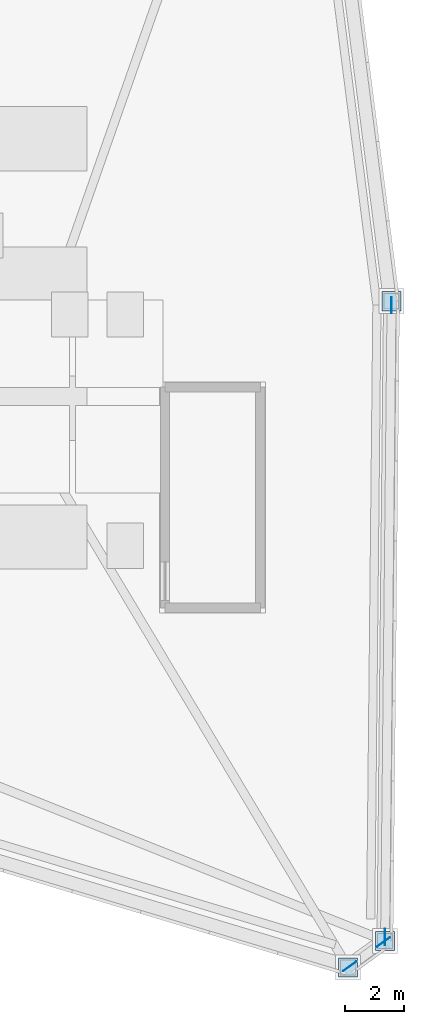
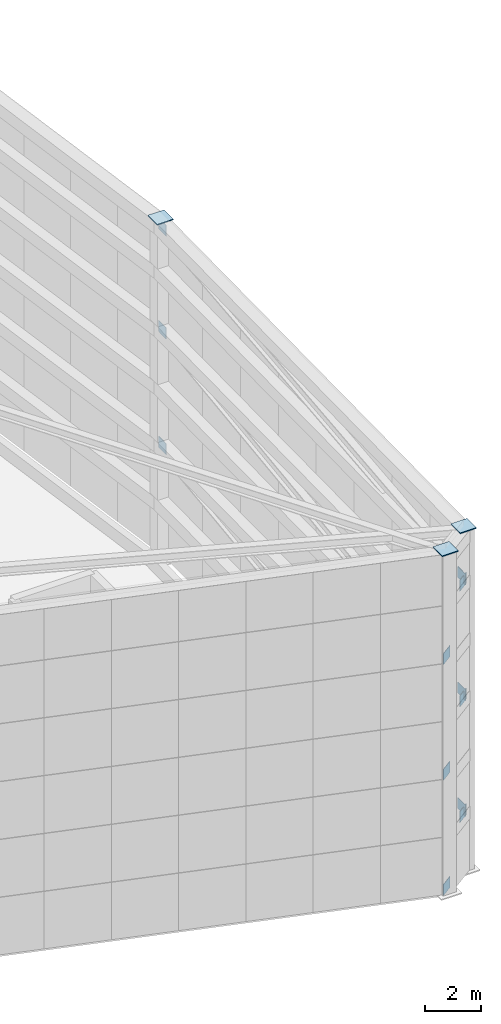
# One storey, part 6 of 9: 15 plates.
"""IFC4 building model written with IfcOpenShell, lengths in metres."""

from ifc_helpers import new_model, si_unit, direction, frame, origin, origin_2d, place, context, subcontext, project, spatial, rectangle, extrude, source, transform, mapped, material, type_object, element, save


model = new_model("IFC4")

# Units and contexts
model_context = context("Model", 3, precision=1e-05, world=origin(), true_north=direction((0.0, 1.0)))
body_context = subcontext(model_context, "Body", "Model", "MODEL_VIEW")
ifc_project = project(units=[si_unit("LENGTHUNIT", "METRE"), si_unit("AREAUNIT", "SQUARE_METRE"), si_unit("VOLUMEUNIT", "CUBIC_METRE"), si_unit("PLANEANGLEUNIT", "RADIAN"), si_unit("MASSUNIT", "GRAM", prefix="KILO")], contexts=[model_context])

# Site, building, storey
site_placement = place(None, origin())
site = spatial("IfcSite", under=ifc_project, at=site_placement, CompositionType="ELEMENT")
building_placement = place(site_placement, origin())
building = spatial("IfcBuilding", under=site, at=building_placement, Name="Olszyna Solenne Hotel", CompositionType="ELEMENT")
storey_placement = place(building_placement, frame((0.0, 0.0, 295.0)))
storey = spatial("IfcBuildingStorey", under=building, at=storey_placement, Name="Roof Crown", CompositionType="ELEMENT", Elevation=295.0)

# Plates
ifc_material_1 = material(Name="Steel S460M", Category="steel")
plate_type_1 = type_object("IfcPlateType", Name="GP-CAP1", PredefinedType="USERDEFINED", material=ifc_material_1)
shared_shape_1 = source(origin(), body_context, "Body", "SweptSolid", [
    extrude(rectangle(XDim=0.659912109375, YDim=0.659912109375, at=origin_2d()), origin(), (0.0, 0.0, 1.0), 0.0400390625),
])
for number, where, z_axis, x_axis, name in (
    (1, (49.016845703125, 7.0869140625, 14.719970703125), (0.0, 0.0, 1.0), (1.0, 0.0, 0.0), "Hollow section end-cap plate GP-CAP1 CP-CFTOP-7-2"),
    (2, (50.27880859375, 7.9970703125, 14.719970703125), (0.0, 0.0, 1.0), (1.0, 0.0, 0.0), "Hollow section end-cap plate GP-CAP1 CP-CFTOP-8-2"),
    (3, (50.502197265625, 29.856689453125, 14.719970703125), (0.0, 0.0, 1.0), (1.0, 0.0, 0.0), "Hollow section end-cap plate GP-CAP1 CP-CFTOP-9-2"),
):
    element("IfcPlate", number, at=place(storey_placement, frame(where, z_axis=z_axis, x_axis=x_axis)), inside=storey, type_object=plate_type_1, Name=name, ObjectType="GUSSET_PLATE", PredefinedType="USERDEFINED", context=body_context, shape_type="MappedRepresentation", body=[
        mapped(shared_shape_1, transform((0.0, 0.0, 0.0), x_axis=(1.0, 0.0, 0.0), y_axis=(0.0, 1.0, 0.0), z_axis=(0.0, 0.0, 1.0), scale=1.0)),
    ])
ifc_material_2 = material(Name="Steel S355J2", Category="steel")
plate_type_2 = type_object("IfcPlateType", Name="GP-ND2", PredefinedType="USERDEFINED", material=ifc_material_2)
shared_shape_2 = source(origin(), body_context, "Body", "SweptSolid", [
    extrude(rectangle(XDim=0.56005859375, YDim=0.02001953125, at=origin_2d()), origin(), (0.0, 0.0, 1.0), 0.47998046875),
])
for number, where, z_axis, x_axis, name in (
    (4, (49.0771484375, 7.13037109375, -0.101318359375), (0.0, 0.0, 1.0), (0.811063818989, 0.584957674987, 0.0), "Brace end connection gusset plate GP-ND2 EP-CF-BR-T1-3-1"),
    (5, (50.218505859375, 7.95361328125, 2.141357421875), (0.0, 0.0, 1.0), (0.811063818989, 0.584957674987, 0.0), "Brace end connection gusset plate GP-ND2 EP-CF-BR-T1-3-2"),
    (6, (50.2802734375, 8.13623046875, 2.27587890625), (0.0, 0.0, 1.0), (0.010297260602, 0.999946981807, 0.0), "Brace end connection gusset plate GP-ND2 EP-CF-BR-T2-3-1"),
    (7, (50.500732421875, 29.717529296875, 4.744140625), (0.0, 0.0, 1.0), (0.010297260602, 0.999946981807, 0.0), "Brace end connection gusset plate GP-ND2 EP-CF-BR-T2-3-2"),
    (8, (49.076904296875, 7.130126953125, 4.87890625), (0.0, 0.0, 1.0), (0.811063818989, 0.584957674987, 0.0), "Brace end connection gusset plate GP-ND2 EP-CF-BR-T3-3-1"),
    (9, (50.218994140625, 7.953857421875, 7.14111328125), (0.0, 0.0, 1.0), (0.811063818989, 0.584957674987, 0.0), "Brace end connection gusset plate GP-ND2 EP-CF-BR-T3-3-2"),
    (10, (50.2802734375, 8.13623046875, 7.27587890625), (0.0, 0.0, 1.0), (0.010297260602, 0.999946981807, 0.0), "Brace end connection gusset plate GP-ND2 EP-CF-BR-T4-3-1"),
    (11, (50.500732421875, 29.717529296875, 9.744140625), (0.0, 0.0, 1.0), (0.010297260602, 0.999946981807, 0.0), "Brace end connection gusset plate GP-ND2 EP-CF-BR-T4-3-2"),
    (12, (49.076904296875, 7.130126953125, 9.87890625), (0.0, 0.0, 1.0), (0.811063818989, 0.584957674987, 0.0), "Brace end connection gusset plate GP-ND2 EP-CF-BR-T5-3-1"),
    (13, (50.218994140625, 7.953857421875, 12.14111328125), (0.0, 0.0, 1.0), (0.811063818989, 0.584957674987, 0.0), "Brace end connection gusset plate GP-ND2 EP-CF-BR-T5-3-2"),
    (14, (50.2802734375, 8.136474609375, 12.2724609375), (0.0, 0.0, 1.0), (0.010297260602, 0.999946981807, 0.0), "Brace end connection gusset plate GP-ND2 EP-CF-BR-T6-3-1"),
    (15, (50.500732421875, 29.71728515625, 14.1875), (0.0, 0.0, 1.0), (0.010297260602, 0.999946981807, 0.0), "Brace end connection gusset plate GP-ND2 EP-CF-BR-T6-3-2"),
):
    element("IfcPlate", number, at=place(storey_placement, frame(where, z_axis=z_axis, x_axis=x_axis)), inside=storey, type_object=plate_type_2, Name=name, ObjectType="GUSSET_PLATE", PredefinedType="USERDEFINED", context=body_context, shape_type="MappedRepresentation", body=[
        mapped(shared_shape_2, transform((0.0, 0.0, 0.0), x_axis=(1.0, 0.0, 0.0), y_axis=(0.0, 1.0, 0.0), z_axis=(0.0, 0.0, 1.0), scale=1.0)),
    ])

save(model, "model.ifc")
